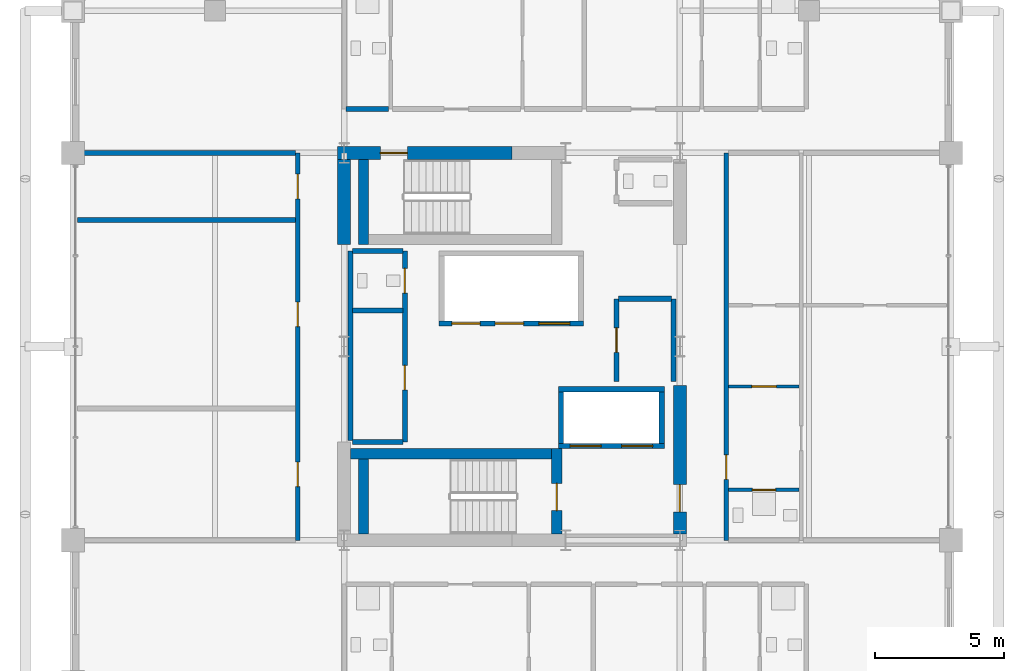
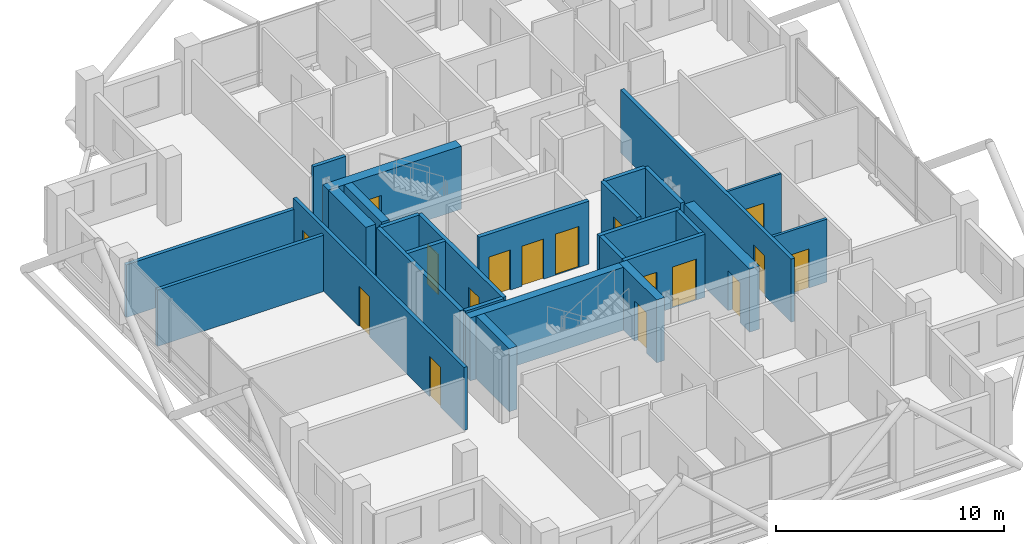
# One storey, part 20 of 24: 27 walls, 17 doors, 17 openings.
"""IFC4 building model written with IfcOpenShell, lengths in metres."""

from ifc_helpers import new_model, si_unit, direction, frame, frame_2d, origin, place, context, subcontext, project, spatial, rectangle, extrude, material, layer, layer_set, type_object, element, fill, save


model = new_model("IFC4")

# Units and contexts
model_context = context("Model", 3, precision=1e-05, world=origin(), true_north=direction((0.0, 1.0)))
body_context = subcontext(model_context, "Body", "Model", "MODEL_VIEW")
ifc_project = project(units=[si_unit("LENGTHUNIT", "METRE"), si_unit("AREAUNIT", "SQUARE_METRE"), si_unit("VOLUMEUNIT", "CUBIC_METRE"), si_unit("PLANEANGLEUNIT", "RADIAN"), si_unit("MASSUNIT", "GRAM", prefix="KILO")], contexts=[model_context])

# Site, building, storey
site_placement = place(None, origin())
site = spatial("IfcSite", under=ifc_project, at=site_placement, CompositionType="ELEMENT")
building_placement = place(site_placement, origin())
building = spatial("IfcBuilding", under=site, at=building_placement, Name="Barlavira Tower and Art Museum", CompositionType="ELEMENT")
storey_placement = place(building_placement, frame((0.0, 0.0, 240.300048828125)))
storey = spatial("IfcBuildingStorey", under=building, at=storey_placement, Name="L62", CompositionType="ELEMENT", Elevation=240.300048828125)

# Wall, opening, door
ifc_material_1 = material(Name="Gypsum acoustic stud partition", Category="gypsum")
ifc_layer_1 = layer(ifc_material_1, 0.1201171875, Name="Gypsum acoustic stud partition")
ifc_layer_set_1 = layer_set([ifc_layer_1], Name="Gypsum acoustic stud partition")
wall_type_1 = type_object("IfcWallType", Name="Apartment Internal Acoustic Partition 120", PredefinedType="PARTITIONING", material=ifc_layer_set_1)
wall_1_placement = place(storey_placement, frame((8.3798828125, -1.550048828125, 0.0), z_axis=(0.0, 0.0, 1.0), x_axis=(1.0, 0.0, 0.0)))
wall_1 = element("IfcWall", 1, at=wall_1_placement, inside=storey, type_object=wall_type_1, Name="L62 Partition Wall 46", PredefinedType="PARTITIONING", context=body_context, shape_type="SweptSolid", body=[
    extrude(rectangle(XDim=2.740234375, YDim=0.1201171875, at=frame_2d((1.3701171875, 0.0))), origin(), (0.0, 0.0, 1.0), 3.3798828125),
])
opening_1_placement = place(wall_1_placement, frame((0.905029296875, 0.0, 0.0)))
opening_1 = element("IfcOpeningElement", 2, at=opening_1_placement, cuts=wall_1, Name="Opening D-02", PredefinedType="OPENING", context=body_context, shape_type="SweptSolid", body=[
    extrude(rectangle(XDim=0.949951171875, YDim=2.10009765625, at=frame_2d((0.47509765625, 1.050048828125))), frame((0.0, 0.070068359375, 0.0), z_axis=(0.0, -1.0, 0.0), x_axis=(1.0, 0.0, 0.0)), (0.0, 0.0, 1.0), 0.14013671875),
])
ifc_material_2 = material(Name="Engineered coastal hardwood", Category="wood")
door_type_1 = type_object("IfcDoorType", Name="Living and Salon Glazed-Leaf Door 950x2100", OperationType="NOTDEFINED", PredefinedType="DOOR", material=ifc_material_2)
door_1_placement = place(opening_1_placement, origin())
door_1 = element("IfcDoor", 3, at=door_1_placement, inside=storey, type_object=door_type_1, Name="Apartment E1 Kitchen Door", OperationType="SINGLE_SWING_RIGHT", OverallHeight=2.10009765625, OverallWidth=0.949951171875, PredefinedType="DOOR", context=body_context, shape_type="SweptSolid", body=[
    extrude(rectangle(XDim=0.949951171875, YDim=2.10009765625, at=frame_2d((0.47509765625, 1.050048828125))), frame((0.0, 0.02490234375, 0.0), z_axis=(0.0, -1.0, 0.0), x_axis=(1.0, 0.0, 0.0)), (0.0, 0.0, 1.0), 0.050048828125),
])
fill(opening_1, door_1)

ifc_material_3 = material(Name="Concrete C60", Category="concrete")
ifc_layer_2 = layer(ifc_material_3, 0.5, Name="Concrete C60")
ifc_layer_set_2 = layer_set([ifc_layer_2], Name="Concrete C60")
wall_type_2 = type_object("IfcWallType", Name="Core Structural Shear Wall 500 Concrete C60", PredefinedType="SHEAR", material=ifc_layer_set_2)
wall_2_placement = place(storey_placement, frame((-6.75, 7.5, 0.0), z_axis=(0.0, 0.0, 1.0), x_axis=(1.0, 0.0, 0.0)))
wall_2 = element("IfcWall", 4, at=wall_2_placement, inside=storey, type_object=wall_type_2, Name="L62 Core Shear Wall CS-NW", PredefinedType="SHEAR", context=body_context, shape_type="SweptSolid", body=[
    extrude(rectangle(XDim=6.75, YDim=0.5, at=frame_2d((3.375, 0.0))), origin(), (0.0, 0.0, 1.0), 3.3798828125),
])
opening_2_placement = place(wall_2_placement, frame((1.64990234375, 0.0, 0.0)))
opening_2 = element("IfcOpeningElement", 5, at=opening_2_placement, cuts=wall_2, Name="Opening FD-90", PredefinedType="OPENING", context=body_context, shape_type="SweptSolid", body=[
    extrude(rectangle(XDim=1.050048828125, YDim=2.14990234375, at=frame_2d((0.52490234375, 1.074951171875))), frame((0.0, 0.260009765625, 0.0), z_axis=(0.0, -1.0, 0.0), x_axis=(1.0, 0.0, 0.0)), (0.0, 0.0, 1.0), 0.52001953125),
])
ifc_material_4 = material(Name="Brushed stainless steel", Category="steel")
door_type_2 = type_object("IfcDoorType", Name="Stair and Refuge Fire Door 1050x2150 FD90S", OperationType="NOTDEFINED", PredefinedType="DOOR", material=ifc_material_4)
door_2_placement = place(opening_2_placement, origin())
door_2 = element("IfcDoor", 6, at=door_2_placement, inside=storey, type_object=door_type_2, Name="L62 Stair ST-T2 Fire Door", OperationType="SINGLE_SWING_LEFT", OverallHeight=2.14990234375, OverallWidth=1.050048828125, PredefinedType="DOOR", context=body_context, shape_type="SweptSolid", body=[
    extrude(rectangle(XDim=1.050048828125, YDim=2.14990234375, at=frame_2d((0.52490234375, 1.074951171875))), frame((0.0, 0.02490234375, 0.0), z_axis=(0.0, -1.0, 0.0), x_axis=(1.0, 0.0, 0.0)), (0.0, 0.0, 1.0), 0.050048828125),
])
fill(opening_2, door_2)

# Wall
wall_3_placement = place(storey_placement, frame((-6.5, 3.949951171875, 0.0), z_axis=(0.0, 0.0, 1.0), x_axis=(0.0, 1.0, 0.0)))
element("IfcWall", 7, at=wall_3_placement, inside=storey, type_object=wall_type_2, Name="L62 Core Shear Wall CS-W2", PredefinedType="SHEAR", context=body_context, shape_type="SweptSolid", body=[
    extrude(rectangle(XDim=3.300048828125, YDim=0.5, at=frame_2d((1.64990234375, 0.0))), origin(), (0.0, 0.0, 1.0), 3.3798828125),
])

# Wall, opening, door
wall_4_placement = place(storey_placement, frame((6.5, -7.25, 0.0), z_axis=(0.0, 0.0, 1.0), x_axis=(0.0, 1.0, 0.0)))
wall_4 = element("IfcWall", 8, at=wall_4_placement, inside=storey, type_object=wall_type_2, Name="L62 Core Shear Wall CS-E1", PredefinedType="SHEAR", context=body_context, shape_type="SweptSolid", body=[
    extrude(rectangle(XDim=5.75, YDim=0.5, at=frame_2d((2.875, 0.0))), origin(), (0.0, 0.0, 1.0), 3.3798828125),
])
opening_3_placement = place(wall_4_placement, frame((0.85009765625, 0.0, 0.0)))
opening_3 = element("IfcOpeningElement", 9, at=opening_3_placement, cuts=wall_4, Name="Opening FD-90", PredefinedType="OPENING", context=body_context, shape_type="SweptSolid", body=[
    extrude(rectangle(XDim=1.050048828125, YDim=2.14990234375, at=frame_2d((0.52490234375, 1.074951171875))), frame((0.0, 0.260009765625, 0.0), z_axis=(0.0, -1.0, 0.0), x_axis=(1.0, 0.0, 0.0)), (0.0, 0.0, 1.0), 0.52001953125),
])
door_3_placement = place(opening_3_placement, origin())
door_3 = element("IfcDoor", 10, at=door_3_placement, inside=storey, type_object=door_type_2, Name="L62 Firefighting Lobby Entry Fire Door", OperationType="SINGLE_SWING_LEFT", OverallHeight=2.14990234375, OverallWidth=1.050048828125, PredefinedType="DOOR", context=body_context, shape_type="SweptSolid", body=[
    extrude(rectangle(XDim=1.050048828125, YDim=2.14990234375, at=frame_2d((0.52490234375, 1.074951171875))), frame((0.0, 0.02490234375, 0.0), z_axis=(0.0, -1.0, 0.0), x_axis=(1.0, 0.0, 0.0)), (0.0, 0.0, 1.0), 0.050048828125),
])
fill(opening_3, door_3)

# Wall, openings, doors
ifc_material_5 = material(Name="Autoclaved aerated concrete masonry", Category="masonry")
ifc_layer_3 = layer(ifc_material_5, 0.199951171875, Name="Autoclaved aerated concrete masonry")
ifc_layer_set_3 = layer_set([ifc_layer_3], Name="Autoclaved aerated concrete masonry")
wall_type_3 = type_object("IfcWallType", Name="Fire Compartment and Shaft Wall 200", PredefinedType="SOLIDWALL", material=ifc_layer_set_3)
wall_5_placement = place(storey_placement, frame((-2.820068359375, 0.89990234375, 0.0), z_axis=(0.0, 0.0, 1.0), x_axis=(1.0, 0.0, 0.0)))
wall_5 = element("IfcWall", 11, at=wall_5_placement, inside=storey, type_object=wall_type_3, Name="L62 High-Rise & Service Lift Front Wall", PredefinedType="SOLIDWALL", context=body_context, shape_type="SweptSolid", body=[
    extrude(rectangle(XDim=5.580078125, YDim=0.199951171875, at=frame_2d((2.7900390625, 0.0))), origin(), (0.0, 0.0, 1.0), 3.3798828125),
])
opening_4_placement = place(wall_5_placement, frame((0.489990234375, 0.0, 0.0)))
opening_4 = element("IfcOpeningElement", 12, at=opening_4_placement, cuts=wall_5, Name="Opening LD-P", PredefinedType="OPENING", context=body_context, shape_type="SweptSolid", body=[
    extrude(rectangle(XDim=1.10009765625, YDim=2.14990234375, at=frame_2d((0.550048828125, 1.074951171875))), frame((0.0, 0.10986328125, 0.0), z_axis=(0.0, -1.0, 0.0), x_axis=(1.0, 0.0, 0.0)), (0.0, 0.0, 1.0), 0.219970703125),
])
opening_5_placement = place(wall_5_placement, frame((2.169921875, 0.0, 0.0)))
opening_5 = element("IfcOpeningElement", 13, at=opening_5_placement, cuts=wall_5, Name="Opening LD-P", PredefinedType="OPENING", context=body_context, shape_type="SweptSolid", body=[
    extrude(rectangle(XDim=1.10009765625, YDim=2.14990234375, at=frame_2d((0.550048828125, 1.074951171875))), frame((0.0, 0.10986328125, 0.0), z_axis=(0.0, -1.0, 0.0), x_axis=(1.0, 0.0, 0.0)), (0.0, 0.0, 1.0), 0.219970703125),
])
opening_6_placement = place(wall_5_placement, frame((3.860107421875, 0.0, 0.0)))
opening_6 = element("IfcOpeningElement", 14, at=opening_6_placement, cuts=wall_5, Name="Opening LD-F", PredefinedType="OPENING", context=body_context, shape_type="SweptSolid", body=[
    extrude(rectangle(XDim=1.199951171875, YDim=2.199951171875, at=frame_2d((0.60009765625, 1.10009765625))), frame((0.0, 0.10986328125, 0.0), z_axis=(0.0, -1.0, 0.0), x_axis=(1.0, 0.0, 0.0)), (0.0, 0.0, 1.0), 0.219970703125),
])
door_type_3 = type_object("IfcDoorType", Name="Firefighting and Service Lift Sliding Door 1200x2200 FD120", OperationType="NOTDEFINED", PredefinedType="DOOR", material=ifc_material_4)
door_4_placement = place(opening_6_placement, origin())
door_4 = element("IfcDoor", 15, at=door_4_placement, inside=storey, type_object=door_type_3, Name="L62 Stretcher Service Lift SL1 Sliding Door", OperationType="DOUBLE_DOOR_SLIDING", OverallHeight=2.199951171875, OverallWidth=1.199951171875, PredefinedType="DOOR", context=body_context, shape_type="SweptSolid", body=[
    extrude(rectangle(XDim=1.199951171875, YDim=2.199951171875, at=frame_2d((0.60009765625, 1.10009765625))), frame((0.0, 0.02490234375, 0.0), z_axis=(0.0, -1.0, 0.0), x_axis=(1.0, 0.0, 0.0)), (0.0, 0.0, 1.0), 0.050048828125),
])
fill(opening_6, door_4)
door_type_4 = type_object("IfcDoorType", Name="Passenger Lift Sliding Landing Door 1100x2150 FD60", OperationType="NOTDEFINED", PredefinedType="DOOR", material=ifc_material_4)
door_5_placement = place(opening_4_placement, origin())
door_5 = element("IfcDoor", 16, at=door_5_placement, inside=storey, type_object=door_type_4, Name="L62 Lift PH1 Sliding Landing Door", OperationType="DOUBLE_DOOR_SLIDING", OverallHeight=2.14990234375, OverallWidth=1.10009765625, PredefinedType="DOOR", context=body_context, shape_type="SweptSolid", body=[
    extrude(rectangle(XDim=1.10009765625, YDim=2.14990234375, at=frame_2d((0.550048828125, 1.074951171875))), frame((0.0, 0.02490234375, 0.0), z_axis=(0.0, -1.0, 0.0), x_axis=(1.0, 0.0, 0.0)), (0.0, 0.0, 1.0), 0.050048828125),
])
fill(opening_4, door_5)
door_6_placement = place(opening_5_placement, origin())
door_6 = element("IfcDoor", 17, at=door_6_placement, inside=storey, type_object=door_type_4, Name="L62 Lift PH2 Sliding Landing Door", OperationType="DOUBLE_DOOR_SLIDING", OverallHeight=2.14990234375, OverallWidth=1.10009765625, PredefinedType="DOOR", context=body_context, shape_type="SweptSolid", body=[
    extrude(rectangle(XDim=1.10009765625, YDim=2.14990234375, at=frame_2d((0.550048828125, 1.074951171875))), frame((0.0, 0.02490234375, 0.0), z_axis=(0.0, -1.0, 0.0), x_axis=(1.0, 0.0, 0.0)), (0.0, 0.0, 1.0), 0.050048828125),
])
fill(opening_5, door_6)

wall_6_placement = place(storey_placement, frame((1.800048828125, -3.85009765625, 0.0), z_axis=(0.0, 0.0, 1.0), x_axis=(1.0, 0.0, 0.0)))
wall_6 = element("IfcWall", 18, at=wall_6_placement, inside=storey, type_object=wall_type_3, Name="L62 Firefighting Lift Front Shaft Wall", PredefinedType="SOLIDWALL", context=body_context, shape_type="SweptSolid", body=[
    extrude(rectangle(XDim=4.099853515625, YDim=0.199951171875, at=frame_2d((2.0498046875, 0.0))), origin(), (0.0, 0.0, 1.0), 3.3798828125),
])
opening_7_placement = place(wall_6_placement, frame((0.449951171875, 0.0, 0.0)))
opening_7 = element("IfcOpeningElement", 19, at=opening_7_placement, cuts=wall_6, Name="Opening LD-F", PredefinedType="OPENING", context=body_context, shape_type="SweptSolid", body=[
    extrude(rectangle(XDim=1.199951171875, YDim=2.199951171875, at=frame_2d((0.60009765625, 1.10009765625))), frame((0.0, 0.10986328125, 0.0), z_axis=(0.0, -1.0, 0.0), x_axis=(1.0, 0.0, 0.0)), (0.0, 0.0, 1.0), 0.219970703125),
])
opening_8_placement = place(wall_6_placement, frame((2.449951171875, 0.0, 0.0)))
opening_8 = element("IfcOpeningElement", 20, at=opening_8_placement, cuts=wall_6, Name="Opening LD-F", PredefinedType="OPENING", context=body_context, shape_type="SweptSolid", body=[
    extrude(rectangle(XDim=1.199951171875, YDim=2.199951171875, at=frame_2d((0.60009765625, 1.10009765625))), frame((0.0, 0.10986328125, 0.0), z_axis=(0.0, -1.0, 0.0), x_axis=(1.0, 0.0, 0.0)), (0.0, 0.0, 1.0), 0.219970703125),
])
door_7_placement = place(opening_7_placement, origin())
door_7 = element("IfcDoor", 21, at=door_7_placement, inside=storey, type_object=door_type_3, Name="L62 Firefighting Lift FF1 Sliding Door", OperationType="DOUBLE_DOOR_SLIDING", OverallHeight=2.199951171875, OverallWidth=1.199951171875, PredefinedType="DOOR", context=body_context, shape_type="SweptSolid", body=[
    extrude(rectangle(XDim=1.199951171875, YDim=2.199951171875, at=frame_2d((0.60009765625, 1.10009765625))), frame((0.0, 0.02490234375, 0.0), z_axis=(0.0, -1.0, 0.0), x_axis=(1.0, 0.0, 0.0)), (0.0, 0.0, 1.0), 0.050048828125),
])
fill(opening_7, door_7)
door_8_placement = place(opening_8_placement, origin())
door_8 = element("IfcDoor", 22, at=door_8_placement, inside=storey, type_object=door_type_3, Name="L62 Firefighting Lift FF2 Sliding Door", OperationType="DOUBLE_DOOR_SLIDING", OverallHeight=2.199951171875, OverallWidth=1.199951171875, PredefinedType="DOOR", context=body_context, shape_type="SweptSolid", body=[
    extrude(rectangle(XDim=1.199951171875, YDim=2.199951171875, at=frame_2d((0.60009765625, 1.10009765625))), frame((0.0, 0.02490234375, 0.0), z_axis=(0.0, -1.0, 0.0), x_axis=(1.0, 0.0, 0.0)), (0.0, 0.0, 1.0), 0.050048828125),
])
fill(opening_8, door_8)

# Walls
wall_7_placement = place(storey_placement, frame((1.800048828125, -1.64990234375, 0.0), z_axis=(0.0, 0.0, 1.0), x_axis=(1.0, 0.0, 0.0)))
element("IfcWall", 23, at=wall_7_placement, inside=storey, type_object=wall_type_3, Name="L62 Firefighting Lift Back Shaft Wall", PredefinedType="SOLIDWALL", context=body_context, shape_type="SweptSolid", body=[
    extrude(rectangle(XDim=4.099853515625, YDim=0.199951171875, at=frame_2d((2.0498046875, 0.0))), origin(), (0.0, 0.0, 1.0), 3.3798828125),
])
for number, where, z_axis, x_axis, name in (
    (24, (1.89990234375, -3.75, 0.0), (0.0, 0.0, 1.0), (0.0, 1.0, 0.0), "L62 Firefighting Lift West Shaft Wall"),
    (25, (5.800048828125, -3.75, 0.0), (0.0, 0.0, 1.0), (0.0, 1.0, 0.0), "L62 Firefighting Lift East Shaft Wall"),
):
    element("IfcWall", number, at=place(storey_placement, frame(where, z_axis=z_axis, x_axis=x_axis)), inside=storey, type_object=wall_type_3, Name=name, PredefinedType="SOLIDWALL", context=body_context, shape_type="SweptSolid", body=[
        extrude(rectangle(XDim=2.0, YDim=0.199951171875, at=frame_2d((1.0, 0.0))), origin(), (0.0, 0.0, 1.0), 3.3798828125),
    ])
wall_8_placement = place(storey_placement, frame((-6.25, -3.639892578125, 0.0), z_axis=(0.0, 0.0, 1.0), x_axis=(0.0, 1.0, 0.0)))
element("IfcWall", 26, at=wall_8_placement, inside=storey, type_object=wall_type_3, Name="L62 Partition Wall 4", PredefinedType="SOLIDWALL", context=body_context, shape_type="SweptSolid", body=[
    extrude(rectangle(XDim=7.33984375, YDim=0.199951171875, at=frame_2d((3.669921875, 0.0))), origin(), (0.0, 0.0, 1.0), 3.3798828125),
])

# Wall, openings, doors
wall_9_placement = place(storey_placement, frame((-4.14990234375, -3.699951171875, 0.0), z_axis=(0.0, 0.0, 1.0), x_axis=(0.0, 1.0, 0.0)))
wall_9 = element("IfcWall", 27, at=wall_9_placement, inside=storey, type_object=wall_type_3, Name="L62 Partition Wall 7", PredefinedType="SOLIDWALL", context=body_context, shape_type="SweptSolid", body=[
    extrude(rectangle(XDim=7.39990234375, YDim=0.199951171875, at=frame_2d((3.699951171875, 0.0))), origin(), (0.0, 0.0, 1.0), 3.3798828125),
])
opening_9_placement = place(wall_9_placement, frame((2.02490234375, 0.0, 0.0)))
opening_9 = element("IfcOpeningElement", 28, at=opening_9_placement, cuts=wall_9, Name="Opening FD-60", PredefinedType="OPENING", context=body_context, shape_type="SweptSolid", body=[
    extrude(rectangle(XDim=0.949951171875, YDim=2.14990234375, at=frame_2d((0.47509765625, 1.074951171875))), frame((0.0, 0.10986328125, 0.0), z_axis=(0.0, -1.0, 0.0), x_axis=(1.0, 0.0, 0.0)), (0.0, 0.0, 1.0), 0.219970703125),
])
opening_10_placement = place(wall_9_placement, frame((5.77490234375, 0.0, 0.0)))
opening_10 = element("IfcOpeningElement", 29, at=opening_10_placement, cuts=wall_9, Name="Opening FD-60", PredefinedType="OPENING", context=body_context, shape_type="SweptSolid", body=[
    extrude(rectangle(XDim=0.949951171875, YDim=2.14990234375, at=frame_2d((0.47509765625, 1.074951171875))), frame((0.0, 0.10986328125, 0.0), z_axis=(0.0, -1.0, 0.0), x_axis=(1.0, 0.0, 0.0)), (0.0, 0.0, 1.0), 0.219970703125),
])
door_type_5 = type_object("IfcDoorType", Name="Apartment Entrance and Riser Fire Door 950x2150 FD60S", OperationType="NOTDEFINED", PredefinedType="DOOR", material=ifc_material_4)
door_9_placement = place(opening_9_placement, origin())
door_9 = element("IfcDoor", 30, at=door_9_placement, inside=storey, type_object=door_type_5, Name="Reclaimed Core Resident Parcel Room Door", OperationType="SINGLE_SWING_LEFT", OverallHeight=2.14990234375, OverallWidth=0.949951171875, PredefinedType="DOOR", context=body_context, shape_type="SweptSolid", body=[
    extrude(rectangle(XDim=0.949951171875, YDim=2.14990234375, at=frame_2d((0.47509765625, 1.074951171875))), frame((0.0, 0.02490234375, 0.0), z_axis=(0.0, -1.0, 0.0), x_axis=(1.0, 0.0, 0.0)), (0.0, 0.0, 1.0), 0.050048828125),
])
fill(opening_9, door_9)
door_10_placement = place(opening_10_placement, origin())
door_10 = element("IfcDoor", 31, at=door_10_placement, inside=storey, type_object=door_type_5, Name="Reclaimed Core Accessible WC Door", OperationType="SINGLE_SWING_RIGHT", OverallHeight=2.14990234375, OverallWidth=0.949951171875, PredefinedType="DOOR", context=body_context, shape_type="SweptSolid", body=[
    extrude(rectangle(XDim=0.949951171875, YDim=2.14990234375, at=frame_2d((0.47509765625, 1.074951171875))), frame((0.0, 0.02490234375, 0.0), z_axis=(0.0, -1.0, 0.0), x_axis=(1.0, 0.0, 0.0)), (0.0, 0.0, 1.0), 0.050048828125),
])
fill(opening_10, door_10)

# Wall, opening, door
wall_10_placement = place(storey_placement, frame((4.050048828125, -1.35009765625, 0.0), z_axis=(0.0, 0.0, 1.0), x_axis=(0.0, 1.0, 0.0)))
wall_10 = element("IfcWall", 32, at=wall_10_placement, inside=storey, type_object=wall_type_3, Name="L62 Partition Wall 16", PredefinedType="SOLIDWALL", context=body_context, shape_type="SweptSolid", body=[
    extrude(rectangle(XDim=3.2001953125, YDim=0.199951171875, at=frame_2d((1.60009765625, 0.0))), origin(), (0.0, 0.0, 1.0), 3.3798828125),
])
opening_11_placement = place(wall_10_placement, frame((1.125, 0.0, 0.0)))
opening_11 = element("IfcOpeningElement", 33, at=opening_11_placement, cuts=wall_10, Name="Opening FD-60", PredefinedType="OPENING", context=body_context, shape_type="SweptSolid", body=[
    extrude(rectangle(XDim=0.949951171875, YDim=2.14990234375, at=frame_2d((0.47509765625, 1.074951171875))), frame((0.0, 0.10986328125, 0.0), z_axis=(0.0, -1.0, 0.0), x_axis=(1.0, 0.0, 0.0)), (0.0, 0.0, 1.0), 0.219970703125),
])
door_11_placement = place(opening_11_placement, origin())
door_11 = element("IfcDoor", 34, at=door_11_placement, inside=storey, type_object=door_type_5, Name="Reclaimed Upper Core Valet Store Door", OperationType="SINGLE_SWING_LEFT", OverallHeight=2.14990234375, OverallWidth=0.949951171875, PredefinedType="DOOR", context=body_context, shape_type="SweptSolid", body=[
    extrude(rectangle(XDim=0.949951171875, YDim=2.14990234375, at=frame_2d((0.47509765625, 1.074951171875))), frame((0.0, 0.02490234375, 0.0), z_axis=(0.0, -1.0, 0.0), x_axis=(1.0, 0.0, 0.0)), (0.0, 0.0, 1.0), 0.050048828125),
])
fill(opening_11, door_11)

# Walls
wall_11_placement = place(storey_placement, frame((6.25, -1.35009765625, 0.0), z_axis=(0.0, 0.0, 1.0), x_axis=(0.0, 1.0, 0.0)))
element("IfcWall", 35, at=wall_11_placement, inside=storey, type_object=wall_type_3, Name="L62 Partition Wall 18", PredefinedType="SOLIDWALL", context=body_context, shape_type="SweptSolid", body=[
    extrude(rectangle(XDim=3.2001953125, YDim=0.199951171875, at=frame_2d((1.60009765625, 0.0))), origin(), (0.0, 0.0, 1.0), 3.3798828125),
])
for number, where, z_axis, x_axis, name in (
    (36, (-6.169921875, -3.699951171875, 0.0), (0.0, 0.0, 1.0), (1.0, 0.0, 0.0), "L62 Partition Wall 44"),
    (37, (-6.169921875, 1.39990234375, 0.0), (0.0, 0.0, 1.0), (1.0, 0.0, 0.0), "L62 Partition Wall 47"),
):
    element("IfcWall", number, at=place(storey_placement, frame(where, z_axis=z_axis, x_axis=x_axis)), inside=storey, type_object=wall_type_3, Name=name, PredefinedType="SOLIDWALL", context=body_context, shape_type="SweptSolid", body=[
        extrude(rectangle(XDim=1.93994140625, YDim=0.199951171875, at=frame_2d((0.969970703125, 0.0))), origin(), (0.0, 0.0, 1.0), 3.3798828125),
    ])
wall_12_placement = place(storey_placement, frame((4.1298828125, 1.85009765625, 0.0), z_axis=(0.0, 0.0, 1.0), x_axis=(1.0, 0.0, 0.0)))
element("IfcWall", 38, at=wall_12_placement, inside=storey, type_object=wall_type_3, Name="L62 Partition Wall 50", PredefinedType="SOLIDWALL", context=body_context, shape_type="SweptSolid", body=[
    extrude(rectangle(XDim=2.0400390625, YDim=0.199951171875, at=frame_2d((1.02001953125, 0.0))), origin(), (0.0, 0.0, 1.0), 3.3798828125),
])
wall_13_placement = place(storey_placement, frame((-6.169921875, 3.699951171875, 0.0), z_axis=(0.0, 0.0, 1.0), x_axis=(1.0, 0.0, 0.0)))
element("IfcWall", 39, at=wall_13_placement, inside=storey, type_object=wall_type_3, Name="L62 Partition Wall 51", PredefinedType="SOLIDWALL", context=body_context, shape_type="SweptSolid", body=[
    extrude(rectangle(XDim=1.93994140625, YDim=0.199951171875, at=frame_2d((0.969970703125, 0.0))), origin(), (0.0, 0.0, 1.0), 3.3798828125),
])

# Wall, openings, doors
ifc_layer_4 = layer(ifc_material_1, 0.179931640625, Name="Gypsum acoustic stud partition")
ifc_layer_set_4 = layer_set([ifc_layer_4], Name="Gypsum acoustic stud partition")
wall_type_4 = type_object("IfcWallType", Name="Inter-Tenancy Party Partition Wall 180", PredefinedType="PARTITIONING", material=ifc_layer_set_4)
wall_14_placement = place(storey_placement, frame((-8.300048828125, -7.5, 0.0), z_axis=(0.0, 0.0, 1.0), x_axis=(0.0, 1.0, 0.0)))
wall_14 = element("IfcWall", 40, at=wall_14_placement, inside=storey, type_object=wall_type_4, Name="L62 Partition Wall 1", PredefinedType="PARTITIONING", context=body_context, shape_type="SweptSolid", body=[
    extrude(rectangle(XDim=15.0, YDim=0.179931640625, at=frame_2d((7.5, 0.0))), origin(), (0.0, 0.0, 1.0), 3.3798828125),
])
opening_12_placement = place(wall_14_placement, frame((2.074951171875, 0.0, 0.0)))
opening_12 = element("IfcOpeningElement", 41, at=opening_12_placement, cuts=wall_14, Name="Opening FD-60", PredefinedType="OPENING", context=body_context, shape_type="SweptSolid", body=[
    extrude(rectangle(XDim=0.949951171875, YDim=2.14990234375, at=frame_2d((0.47509765625, 1.074951171875))), frame((0.0, 0.10009765625, 0.0), z_axis=(0.0, -1.0, 0.0), x_axis=(1.0, 0.0, 0.0)), (0.0, 0.0, 1.0), 0.199951171875),
])
opening_13_placement = place(wall_14_placement, frame((8.27490234375, 0.0, 0.0)))
opening_13 = element("IfcOpeningElement", 42, at=opening_13_placement, cuts=wall_14, Name="Opening FD-60", PredefinedType="OPENING", context=body_context, shape_type="SweptSolid", body=[
    extrude(rectangle(XDim=0.949951171875, YDim=2.14990234375, at=frame_2d((0.47509765625, 1.074951171875))), frame((0.0, 0.10009765625, 0.0), z_axis=(0.0, -1.0, 0.0), x_axis=(1.0, 0.0, 0.0)), (0.0, 0.0, 1.0), 0.199951171875),
])
opening_14_placement = place(wall_14_placement, frame((13.22509765625, 0.0, 0.0)))
opening_14 = element("IfcOpeningElement", 43, at=opening_14_placement, cuts=wall_14, Name="Opening FD-60", PredefinedType="OPENING", context=body_context, shape_type="SweptSolid", body=[
    extrude(rectangle(XDim=0.949951171875, YDim=2.14990234375, at=frame_2d((0.47509765625, 1.074951171875))), frame((0.0, 0.10009765625, 0.0), z_axis=(0.0, -1.0, 0.0), x_axis=(1.0, 0.0, 0.0)), (0.0, 0.0, 1.0), 0.199951171875),
])
door_12_placement = place(opening_12_placement, origin())
door_12 = element("IfcDoor", 44, at=door_12_placement, inside=storey, type_object=door_type_5, Name="Resident Art Collectors Salon Door", OperationType="SINGLE_SWING_LEFT", OverallHeight=2.14990234375, OverallWidth=0.949951171875, PredefinedType="DOOR", context=body_context, shape_type="SweptSolid", body=[
    extrude(rectangle(XDim=0.949951171875, YDim=2.14990234375, at=frame_2d((0.47509765625, 1.074951171875))), frame((0.0, 0.02490234375, 0.0), z_axis=(0.0, -1.0, 0.0), x_axis=(1.0, 0.0, 0.0)), (0.0, 0.0, 1.0), 0.050048828125),
])
fill(opening_12, door_12)
door_13_placement = place(opening_13_placement, origin())
door_13 = element("IfcDoor", 45, at=door_13_placement, inside=storey, type_object=door_type_5, Name="Sculpture and Painting Workshop Door", OperationType="SINGLE_SWING_RIGHT", OverallHeight=2.14990234375, OverallWidth=0.949951171875, PredefinedType="DOOR", context=body_context, shape_type="SweptSolid", body=[
    extrude(rectangle(XDim=0.949951171875, YDim=2.14990234375, at=frame_2d((0.47509765625, 1.074951171875))), frame((0.0, 0.02490234375, 0.0), z_axis=(0.0, -1.0, 0.0), x_axis=(1.0, 0.0, 0.0)), (0.0, 0.0, 1.0), 0.050048828125),
])
fill(opening_13, door_13)
door_14_placement = place(opening_14_placement, origin())
door_14 = element("IfcDoor", 46, at=door_14_placement, inside=storey, type_object=door_type_5, Name="Climate-Controlled Wine Tasting Room Door", OperationType="SINGLE_SWING_LEFT", OverallHeight=2.14990234375, OverallWidth=0.949951171875, PredefinedType="DOOR", context=body_context, shape_type="SweptSolid", body=[
    extrude(rectangle(XDim=0.949951171875, YDim=2.14990234375, at=frame_2d((0.47509765625, 1.074951171875))), frame((0.0, 0.02490234375, 0.0), z_axis=(0.0, -1.0, 0.0), x_axis=(1.0, 0.0, 0.0)), (0.0, 0.0, 1.0), 0.050048828125),
])
fill(opening_14, door_14)

# Wall, opening, door
wall_15_placement = place(storey_placement, frame((8.300048828125, -7.5, 0.0), z_axis=(0.0, 0.0, 1.0), x_axis=(0.0, 1.0, 0.0)))
wall_15 = element("IfcWall", 47, at=wall_15_placement, inside=storey, type_object=wall_type_4, Name="L62 Partition Wall 21", PredefinedType="PARTITIONING", context=body_context, shape_type="SweptSolid", body=[
    extrude(rectangle(XDim=15.0, YDim=0.179931640625, at=frame_2d((7.5, 0.0))), origin(), (0.0, 0.0, 1.0), 3.3798828125),
])
opening_15_placement = place(wall_15_placement, frame((2.35498046875, 0.0, 0.0)))
opening_15 = element("IfcOpeningElement", 48, at=opening_15_placement, cuts=wall_15, Name="Opening FD-60", PredefinedType="OPENING", context=body_context, shape_type="SweptSolid", body=[
    extrude(rectangle(XDim=0.949951171875, YDim=2.14990234375, at=frame_2d((0.47509765625, 1.074951171875))), frame((0.0, 0.10009765625, 0.0), z_axis=(0.0, -1.0, 0.0), x_axis=(1.0, 0.0, 0.0)), (0.0, 0.0, 1.0), 0.199951171875),
])
door_15_placement = place(opening_15_placement, origin())
door_15 = element("IfcDoor", 49, at=door_15_placement, inside=storey, type_object=door_type_5, Name="Apartment Entrance Hall E1 Door", OperationType="SINGLE_SWING_LEFT", OverallHeight=2.14990234375, OverallWidth=0.949951171875, PredefinedType="DOOR", context=body_context, shape_type="SweptSolid", body=[
    extrude(rectangle(XDim=0.949951171875, YDim=2.14990234375, at=frame_2d((0.47509765625, 1.074951171875))), frame((0.0, 0.02490234375, 0.0), z_axis=(0.0, -1.0, 0.0), x_axis=(1.0, 0.0, 0.0)), (0.0, 0.0, 1.0), 0.050048828125),
])
fill(opening_15, door_15)

# Walls
wall_16_placement = place(storey_placement, frame((-16.820068359375, 4.89990234375, 0.0), z_axis=(0.0, 0.0, 1.0), x_axis=(1.0, 0.0, 0.0)))
element("IfcWall", 50, at=wall_16_placement, inside=storey, type_object=wall_type_4, Name="L62 Partition Wall 52", PredefinedType="PARTITIONING", context=body_context, shape_type="SweptSolid", body=[
    extrude(rectangle(XDim=8.440185546875, YDim=0.179931640625, at=frame_2d((4.22021484375, 0.0))), origin(), (0.0, 0.0, 1.0), 3.01806640625),
])
wall_17_placement = place(storey_placement, frame((-16.89990234375, 7.5, 0.0), z_axis=(0.0, 0.0, 1.0), x_axis=(1.0, 0.0, 0.0)))
element("IfcWall", 51, at=wall_17_placement, inside=storey, type_object=wall_type_4, Name="L62 Partition Wall 55", PredefinedType="PARTITIONING", context=body_context, shape_type="SweptSolid", body=[
    extrude(rectangle(XDim=8.52001953125, YDim=0.179931640625, at=frame_2d((4.260009765625, 0.0))), origin(), (0.0, 0.0, 1.0), 2.825927734375),
])
wall_18_placement = place(storey_placement, frame((-6.419921875, 9.199951171875, 0.0), z_axis=(0.0, 0.0, 1.0), x_axis=(1.0, 0.0, 0.0)))
element("IfcWall", 52, at=wall_18_placement, inside=storey, type_object=wall_type_4, Name="L62 Partition Wall 58", PredefinedType="PARTITIONING", context=body_context, shape_type="SweptSolid", body=[
    extrude(rectangle(XDim=1.639892578125, YDim=0.179931640625, at=frame_2d((0.81982421875, 0.0))), origin(), (0.0, 0.0, 1.0), 3.3798828125),
])

# Wall, opening, door
ifc_layer_5 = layer(ifc_material_1, 0.139892578125, Name="Gypsum acoustic stud partition")
ifc_layer_set_5 = layer_set([ifc_layer_5], Name="Gypsum acoustic stud partition")
wall_type_5 = type_object("IfcWallType", Name="Moisture-Resistant Bathroom Partition 140", PredefinedType="PARTITIONING", material=ifc_layer_set_5)
wall_19_placement = place(storey_placement, frame((8.3798828125, -5.550048828125, 0.0), z_axis=(0.0, 0.0, 1.0), x_axis=(1.0, 0.0, 0.0)))
wall_19 = element("IfcWall", 53, at=wall_19_placement, inside=storey, type_object=wall_type_5, Name="L62 Partition Wall 43", PredefinedType="PARTITIONING", context=body_context, shape_type="SweptSolid", body=[
    extrude(rectangle(XDim=2.740234375, YDim=0.139892578125, at=frame_2d((1.3701171875, 0.0))), origin(), (0.0, 0.0, 1.0), 3.3798828125),
])
opening_16_placement = place(wall_19_placement, frame((0.929931640625, 0.0, 0.0)))
opening_16 = element("IfcOpeningElement", 54, at=opening_16_placement, cuts=wall_19, Name="Opening D-WC", PredefinedType="OPENING", context=body_context, shape_type="SweptSolid", body=[
    extrude(rectangle(XDim=0.89990234375, YDim=2.10009765625, at=frame_2d((0.449951171875, 1.050048828125))), frame((0.0, 0.080078125, 0.0), z_axis=(0.0, -1.0, 0.0), x_axis=(1.0, 0.0, 0.0)), (0.0, 0.0, 1.0), 0.159912109375),
])
door_type_6 = type_object("IfcDoorType", Name="Accessible Bathroom Flush Door 900x2100", OperationType="NOTDEFINED", PredefinedType="DOOR", material=ifc_material_2)
door_16_placement = place(opening_16_placement, origin())
door_16 = element("IfcDoor", 55, at=door_16_placement, inside=storey, type_object=door_type_6, Name="Apartment E1 Hall Bathroom Door", OperationType="SINGLE_SWING_RIGHT", OverallHeight=2.10009765625, OverallWidth=0.89990234375, PredefinedType="DOOR", context=body_context, shape_type="SweptSolid", body=[
    extrude(rectangle(XDim=0.89990234375, YDim=2.10009765625, at=frame_2d((0.449951171875, 1.050048828125))), frame((0.0, 0.02490234375, 0.0), z_axis=(0.0, -1.0, 0.0), x_axis=(1.0, 0.0, 0.0)), (0.0, 0.0, 1.0), 0.050048828125),
])
fill(opening_16, door_16)

# Walls
ifc_material_6 = material(Name="Concrete C55", Category="concrete")
ifc_layer_6 = layer(ifc_material_6, 0.39990234375, Name="Concrete C55")
ifc_layer_set_6 = layer_set([ifc_layer_6], Name="Concrete C55")
wall_type_6 = type_object("IfcWallType", Name="Upper Core Shear Wall 400 Concrete C55", PredefinedType="SHEAR", material=ifc_layer_set_6)
wall_20_placement = place(storey_placement, frame((-5.75, -7.25, 0.0), z_axis=(0.0, 0.0, 1.0), x_axis=(0.0, 1.0, 0.0)))
element("IfcWall", 56, at=wall_20_placement, inside=storey, type_object=wall_type_6, Name="L62 ST-T1 West Half-Landing Wall", PredefinedType="SHEAR", context=body_context, shape_type="SweptSolid", body=[
    extrude(rectangle(XDim=2.89990234375, YDim=0.39990234375, at=frame_2d((1.449951171875, 0.0))), origin(), (0.0, 0.0, 1.0), 3.3798828125),
])
wall_21_placement = place(storey_placement, frame((-6.25, -4.14990234375, 0.0), z_axis=(0.0, 0.0, 1.0), x_axis=(1.0, 0.0, 0.0)))
element("IfcWall", 57, at=wall_21_placement, inside=storey, type_object=wall_type_6, Name="L62 ST-T1 North Shaft Wall", PredefinedType="SHEAR", context=body_context, shape_type="SweptSolid", body=[
    extrude(rectangle(XDim=7.780029296875, YDim=0.39990234375, at=frame_2d((3.89013671875, 0.0))), origin(), (0.0, 0.0, 1.0), 3.3798828125),
])

# Wall, opening, door
wall_22_placement = place(storey_placement, frame((1.72998046875, -7.25, 0.0), z_axis=(0.0, 0.0, 1.0), x_axis=(0.0, 1.0, 0.0)))
wall_22 = element("IfcWall", 58, at=wall_22_placement, inside=storey, type_object=wall_type_6, Name="L62 ST-T1 East Landing Wall", PredefinedType="SHEAR", context=body_context, shape_type="SweptSolid", body=[
    extrude(rectangle(XDim=3.300048828125, YDim=0.39990234375, at=frame_2d((1.64990234375, 0.0))), origin(), (0.0, 0.0, 1.0), 3.3798828125),
])
opening_17_placement = place(wall_22_placement, frame((0.89990234375, 0.0, 0.0)))
opening_17 = element("IfcOpeningElement", 59, at=opening_17_placement, cuts=wall_22, Name="Opening FD-90", PredefinedType="OPENING", context=body_context, shape_type="SweptSolid", body=[
    extrude(rectangle(XDim=1.050048828125, YDim=2.14990234375, at=frame_2d((0.52490234375, 1.074951171875))), frame((0.0, 0.2099609375, 0.0), z_axis=(0.0, -1.0, 0.0), x_axis=(1.0, 0.0, 0.0)), (0.0, 0.0, 1.0), 0.419921875),
])
door_17_placement = place(opening_17_placement, origin())
door_17 = element("IfcDoor", 60, at=door_17_placement, inside=storey, type_object=door_type_2, Name="L62 Stair ST-T1 Fire Door", OperationType="SINGLE_SWING_RIGHT", OverallHeight=2.14990234375, OverallWidth=1.050048828125, PredefinedType="DOOR", context=body_context, shape_type="SweptSolid", body=[
    extrude(rectangle(XDim=1.050048828125, YDim=2.14990234375, at=frame_2d((0.52490234375, 1.074951171875))), frame((0.0, 0.02490234375, 0.0), z_axis=(0.0, -1.0, 0.0), x_axis=(1.0, 0.0, 0.0)), (0.0, 0.0, 1.0), 0.050048828125),
])
fill(opening_17, door_17)

# Wall
wall_23_placement = place(storey_placement, frame((-5.75, 3.949951171875, 0.0), z_axis=(0.0, 0.0, 1.0), x_axis=(0.0, 1.0, 0.0)))
element("IfcWall", 61, at=wall_23_placement, inside=storey, type_object=wall_type_6, Name="L62 ST-T2 West Shaft Wall", PredefinedType="SHEAR", context=body_context, shape_type="SweptSolid", body=[
    extrude(rectangle(XDim=3.300048828125, YDim=0.39990234375, at=frame_2d((1.64990234375, 0.0))), origin(), (0.0, 0.0, 1.0), 3.3798828125),
])

save(model, "model.ifc")
